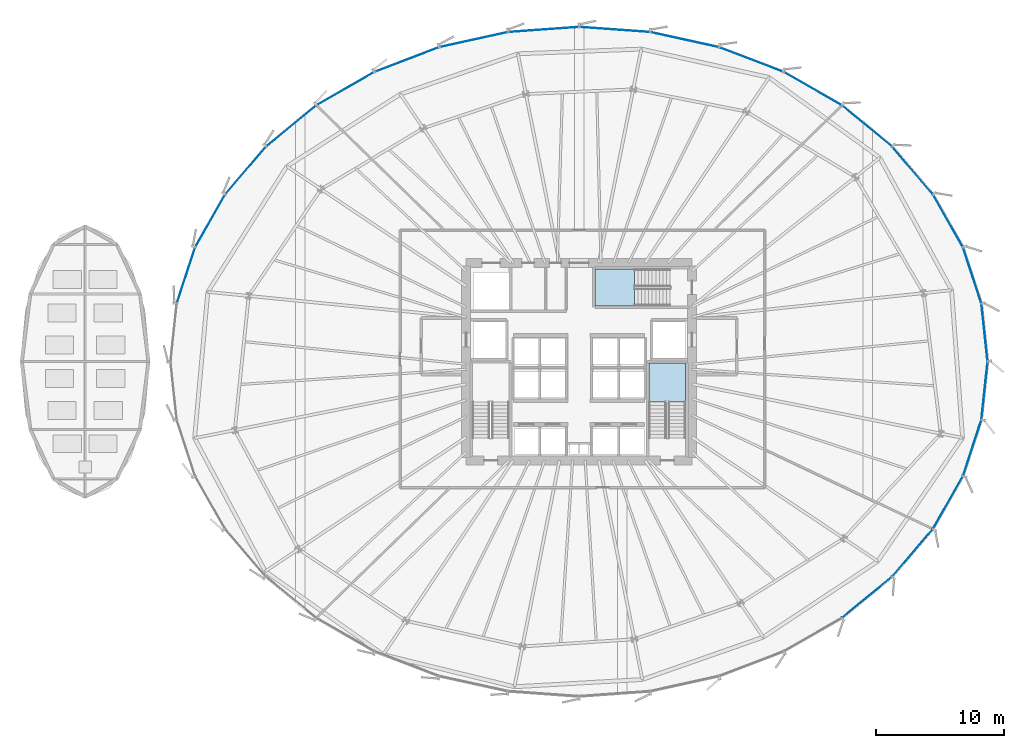
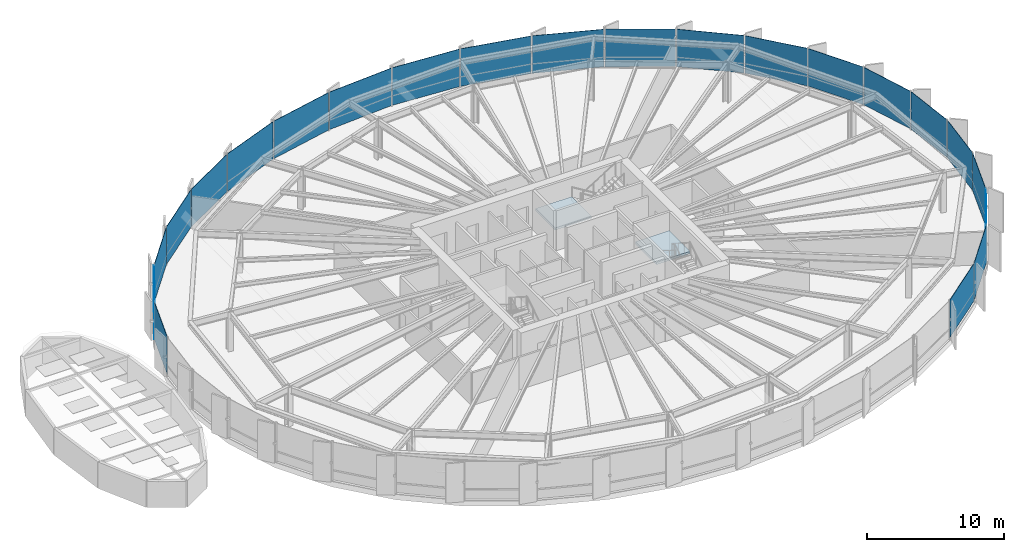
# One storey, part 27 of 38: 22 plates, 2 slabs, 6 elements without a shape of their own.
"""IFC4 building model written with IfcOpenShell, lengths in metres."""

from ifc_helpers import new_model, si_unit, direction, frame, origin, origin_2d, place, context, subcontext, project, spatial, polyline, rectangle, outline, extrude, source, transform, mapped, material, layer, layer_set, type_object, element, aggregate, save


model = new_model("IFC4")

# Units and contexts
model_context = context("Model", 3, precision=1e-05, world=origin(), true_north=direction((0.0, 1.0)))
body_context = subcontext(model_context, "Body", "Model", "MODEL_VIEW")
ifc_project = project(units=[si_unit("LENGTHUNIT", "METRE"), si_unit("AREAUNIT", "SQUARE_METRE"), si_unit("VOLUMEUNIT", "CUBIC_METRE"), si_unit("PLANEANGLEUNIT", "RADIAN"), si_unit("MASSUNIT", "GRAM", prefix="KILO"), si_unit("THERMODYNAMICTEMPERATUREUNIT", "KELVIN")], contexts=[model_context])

# Site, building, storey
site_placement = place(None, origin())
site = spatial("IfcSite", under=ifc_project, at=site_placement, CompositionType="ELEMENT")
building_placement = place(site_placement, origin())
building = spatial("IfcBuilding", under=site, at=building_placement, Name="Kethvar Cultural Tower", CompositionType="ELEMENT")
storey_placement = place(building_placement, frame((0.0, 0.0, 29.60009765625)))
storey = spatial("IfcBuildingStorey", under=building, at=storey_placement, Name="L06", CompositionType="ELEMENT", Elevation=29.60009765625)

# Stair, slab
ifc_material_1 = material(Name="Concrete C40/50", Category="concrete")
stair_type = type_object("IfcStairType", Name="ST-DOGLEG-135", PredefinedType="HALF_TURN_STAIR", material=ifc_material_1)
stair_1_placement = place(storey_placement, origin())
stair_1 = element("IfcStair", 1, at=stair_1_placement, inside=storey, type_object=stair_type, Name="L06 Core Exit Stair 2", PredefinedType="HALF_TURN_STAIR")
ifc_layer_1 = layer(ifc_material_1, 0.199951171875, Name="Concrete C40/50", Category="concrete")
ifc_layer_set_1 = layer_set([ifc_layer_1], Name="Concrete C40/50 (200 mm)")
slab_type = type_object("IfcSlabType", Name="SL-STAIR-LANDING-200", PredefinedType="LANDING", material=ifc_layer_set_1)
slab_1_placement = place(storey_placement, frame((0.0, 0.0, 1.699951171875)))
slab_1 = element("IfcSlab", 2, at=slab_1_placement, type_object=slab_type, Name="ST-02 landing 1", PredefinedType="LANDING", context=body_context, shape_type="SweptSolid", body=[
    extrude(outline(polyline([(55.110107421875, 24.64990234375), (55.110107421875, 27.699951171875), (52.25, 27.699951171875), (52.25, 24.64990234375), (55.110107421875, 24.64990234375)])), origin(), (0.0, 0.0, 1.0), 0.199951171875),
])
aggregate(stair_1, [slab_1])

stair_2_placement = place(storey_placement, origin())
stair_2 = element("IfcStair", 3, at=stair_2_placement, inside=storey, type_object=stair_type, Name="L06 Core Exit Stair 3", PredefinedType="HALF_TURN_STAIR")
slab_2_placement = place(storey_placement, frame((0.0, 0.0, 1.699951171875)))
slab_2 = element("IfcSlab", 4, at=slab_2_placement, type_object=slab_type, Name="ST-03 landing 1", PredefinedType="LANDING", context=body_context, shape_type="SweptSolid", body=[
    extrude(outline(polyline([(51.10009765625, 35.010009765625), (48.050048828125, 35.010009765625), (48.050048828125, 32.14990234375), (51.10009765625, 32.14990234375), (51.10009765625, 35.010009765625)])), origin(), (0.0, 0.0, 1.0), 0.199951171875),
])
aggregate(stair_2, [slab_2])

# Curtain wall, plate
ifc_material_2 = material(Name="Aluminium 6063-T6", Category="aluminium")
ifc_layer_2 = layer(ifc_material_2, 0.179931640625, Name="Aluminium 6063-T6", Category="aluminium")
ifc_layer_set_2 = layer_set([ifc_layer_2], Name="Aluminium 6063-T6 (180 mm)")
curtain_wall_type = type_object("IfcCurtainWallType", Name="CW-SYS-02-Z1", PredefinedType="NOTDEFINED", material=ifc_layer_set_2)
curtain_wall_1_placement = place(storey_placement, origin())
curtain_wall_1 = element("IfcCurtainWall", 5, at=curtain_wall_1_placement, inside=storey, type_object=curtain_wall_type, Name="L06 Curtain Wall Run 01", PredefinedType="NOTDEFINED")
ifc_material_3 = material(Name="Insulated Low-E Solar Glass", Category="glass")
ifc_layer_3 = layer(ifc_material_3, 0.031982421875, Name="Insulated Low-E Solar Glass", Category="glass")
ifc_layer_set_3 = layer_set([ifc_layer_3], Name="Insulated Low-E Solar Glass (32 mm)")
plate_type = type_object("IfcPlateType", Name="CW-SYS-02-Z1-PNL", PredefinedType="CURTAIN_PANEL", material=ifc_layer_set_3)
shared_shape_1 = source(origin(), body_context, "Body", "SweptSolid", [
    extrude(rectangle(XDim=4.481689453125, YDim=0.031982421875, at=origin_2d()), origin(), (0.0, 0.0, 1.0), 3.35009765625),
])
plate_1_placement = place(storey_placement, frame((78.39794921875, 30.06201171875, 0.099853515625), z_axis=(0.0, 0.0, 1.0), x_axis=(-0.106107879787, 0.994354623787, 0.0)))
plate_1 = element("IfcPlate", 6, at=plate_1_placement, type_object=plate_type, Name="CW-L06-R01 Vision Glazing Panel 1", PredefinedType="CURTAIN_PANEL", context=body_context, shape_type="MappedRepresentation", body=[
    mapped(shared_shape_1, transform((0.0, 0.0, 0.0), scale=1.0)),
])

curtain_wall_2_placement = place(storey_placement, origin())
curtain_wall_2 = element("IfcCurtainWall", 7, at=curtain_wall_2_placement, inside=storey, type_object=curtain_wall_type, Name="L06 Curtain Wall Run 06", PredefinedType="NOTDEFINED")
plate_2_placement = place(storey_placement, frame((78.39794921875, 25.5380859375, 0.099853515625), z_axis=(0.0, 0.0, 1.0), x_axis=(0.106107879787, 0.994354623787, 0.0)))
plate_2 = element("IfcPlate", 8, at=plate_2_placement, type_object=plate_type, Name="CW-L06-R06 Vision Glazing Panel 6", PredefinedType="CURTAIN_PANEL", context=body_context, shape_type="MappedRepresentation", body=[
    mapped(shared_shape_1, transform((0.0, 0.0, 0.0), scale=1.0)),
])

# Plate
shared_shape_2 = source(origin(), body_context, "Body", "SweptSolid", [
    extrude(rectangle(XDim=4.54736328125, YDim=0.031982421875, at=origin_2d()), origin(), (0.0, 0.0, 1.0), 3.35009765625),
])
plate_3_placement = place(storey_placement, frame((77.439453125, 34.517822265625, 0.099853515625), z_axis=(0.0, 0.0, 1.0), x_axis=(-0.310693019213, 0.950510309156, 0.0)))
plate_3 = element("IfcPlate", 9, at=plate_3_placement, type_object=plate_type, Name="CW-L06-R01 Vision Glazing Panel 2", PredefinedType="CURTAIN_PANEL", context=body_context, shape_type="MappedRepresentation", body=[
    mapped(shared_shape_2, transform((0.0, 0.0, 0.0), scale=1.0)),
])

# Curtain wall, plate
curtain_wall_3_placement = place(storey_placement, origin())
curtain_wall_3 = element("IfcCurtainWall", 10, at=curtain_wall_3_placement, inside=storey, type_object=curtain_wall_type, Name="L06 Curtain Wall Run 03", PredefinedType="NOTDEFINED")
plate_4_placement = place(storey_placement, frame((16.160400390625, 34.517822265625, 0.099853515625), z_axis=(0.0, 0.0, 1.0), x_axis=(-0.310693019213, -0.950510309156, 0.0)))
plate_4 = element("IfcPlate", 11, at=plate_4_placement, type_object=plate_type, Name="CW-L06-R03 Vision Glazing Panel 5", PredefinedType="CURTAIN_PANEL", context=body_context, shape_type="MappedRepresentation", body=[
    mapped(shared_shape_2, transform((0.0, 0.0, 0.0), scale=1.0)),
])

# Plate
plate_5_placement = place(storey_placement, frame((77.439453125, 21.08203125, 0.099853515625), z_axis=(0.0, 0.0, 1.0), x_axis=(0.310693019213, 0.950510309156, 0.0)))
plate_5 = element("IfcPlate", 12, at=plate_5_placement, type_object=plate_type, Name="CW-L06-R06 Vision Glazing Panel 5", PredefinedType="CURTAIN_PANEL", context=body_context, shape_type="MappedRepresentation", body=[
    mapped(shared_shape_2, transform((0.0, 0.0, 0.0), scale=1.0)),
])

shared_shape_3 = source(origin(), body_context, "Body", "SweptSolid", [
    extrude(rectangle(XDim=4.66845703125, YDim=0.031982421875, at=origin_2d()), origin(), (0.0, 0.0, 1.0), 3.35009765625),
])
plate_6_placement = place(storey_placement, frame((75.551025390625, 38.77099609375, 0.099853515625), z_axis=(0.0, 0.0, 1.0), x_axis=(-0.494427407101, 0.869218924729, 0.0)))
plate_6 = element("IfcPlate", 13, at=plate_6_placement, type_object=plate_type, Name="CW-L06-R01 Vision Glazing Panel 3", PredefinedType="CURTAIN_PANEL", context=body_context, shape_type="MappedRepresentation", body=[
    mapped(shared_shape_3, transform((0.0, 0.0, 0.0), scale=1.0)),
])

plate_7_placement = place(storey_placement, frame((18.048828125, 38.77099609375, 0.099853515625), z_axis=(0.0, 0.0, 1.0), x_axis=(-0.494427407101, -0.869218924729, 0.0)))
plate_7 = element("IfcPlate", 14, at=plate_7_placement, type_object=plate_type, Name="CW-L06-R03 Vision Glazing Panel 4", PredefinedType="CURTAIN_PANEL", context=body_context, shape_type="MappedRepresentation", body=[
    mapped(shared_shape_3, transform((0.0, 0.0, 0.0), scale=1.0)),
])

plate_8_placement = place(storey_placement, frame((75.551025390625, 16.828857421875, 0.099853515625), z_axis=(0.0, 0.0, 1.0), x_axis=(0.494427407101, 0.869218924729, 0.0)))
plate_8 = element("IfcPlate", 15, at=plate_8_placement, type_object=plate_type, Name="CW-L06-R06 Vision Glazing Panel 4", PredefinedType="CURTAIN_PANEL", context=body_context, shape_type="MappedRepresentation", body=[
    mapped(shared_shape_3, transform((0.0, 0.0, 0.0), scale=1.0)),
])

shared_shape_4 = source(origin(), body_context, "Body", "SweptSolid", [
    extrude(rectangle(XDim=4.826416015625, YDim=0.031982421875, at=origin_2d()), origin(), (0.0, 0.0, 1.0), 3.35009765625),
])
plate_9_placement = place(storey_placement, frame((72.789306640625, 42.6923828125, 0.099853515625), z_axis=(0.0, 0.0, 1.0), x_axis=(-0.649487862203, 0.760371959537, 0.0)))
plate_9 = element("IfcPlate", 16, at=plate_9_placement, type_object=plate_type, Name="CW-L06-R01 Vision Glazing Panel 4", PredefinedType="CURTAIN_PANEL", context=body_context, shape_type="MappedRepresentation", body=[
    mapped(shared_shape_4, transform((0.0, 0.0, 0.0), scale=1.0)),
])

plate_10_placement = place(storey_placement, frame((20.810791015625, 42.6923828125, 0.099853515625), z_axis=(0.0, 0.0, 1.0), x_axis=(-0.649487862203, -0.760371959537, 0.0)))
plate_10 = element("IfcPlate", 17, at=plate_10_placement, type_object=plate_type, Name="CW-L06-R03 Vision Glazing Panel 3", PredefinedType="CURTAIN_PANEL", context=body_context, shape_type="MappedRepresentation", body=[
    mapped(shared_shape_4, transform((0.0, 0.0, 0.0), scale=1.0)),
])

plate_11_placement = place(storey_placement, frame((72.789306640625, 12.907470703125, 0.099853515625), z_axis=(0.0, 0.0, 1.0), x_axis=(0.649487862203, 0.760371959537, 0.0)))
plate_11 = element("IfcPlate", 18, at=plate_11_placement, type_object=plate_type, Name="CW-L06-R06 Vision Glazing Panel 3", PredefinedType="CURTAIN_PANEL", context=body_context, shape_type="MappedRepresentation", body=[
    mapped(shared_shape_4, transform((0.0, 0.0, 0.0), scale=1.0)),
])

shared_shape_5 = source(origin(), body_context, "Body", "SweptSolid", [
    extrude(rectangle(XDim=5.000244140625, YDim=0.031982421875, at=origin_2d()), origin(), (0.0, 0.0, 1.0), 3.35009765625),
])
plate_12_placement = place(storey_placement, frame((69.237060546875, 46.162841796875, 0.099853515625), z_axis=(0.0, 0.0, 1.0), x_axis=(-0.773342514932, 0.633988449894, 0.0)))
plate_12 = element("IfcPlate", 19, at=plate_12_placement, type_object=plate_type, Name="CW-L06-R01 Vision Glazing Panel 5", PredefinedType="CURTAIN_PANEL", context=body_context, shape_type="MappedRepresentation", body=[
    mapped(shared_shape_5, transform((0.0, 0.0, 0.0), scale=1.0)),
])

plate_13_placement = place(storey_placement, frame((24.36279296875, 46.162841796875, 0.099853515625), z_axis=(0.0, 0.0, 1.0), x_axis=(-0.773342514932, -0.633988449894, 0.0)))
plate_13 = element("IfcPlate", 20, at=plate_13_placement, type_object=plate_type, Name="CW-L06-R03 Vision Glazing Panel 2", PredefinedType="CURTAIN_PANEL", context=body_context, shape_type="MappedRepresentation", body=[
    mapped(shared_shape_5, transform((0.0, 0.0, 0.0), scale=1.0)),
])

plate_14_placement = place(storey_placement, frame((69.237060546875, 9.43701171875, 0.099853515625), z_axis=(0.0, 0.0, 1.0), x_axis=(0.773342514932, 0.633988449894, 0.0)))
plate_14 = element("IfcPlate", 21, at=plate_14_placement, type_object=plate_type, Name="CW-L06-R06 Vision Glazing Panel 2", PredefinedType="CURTAIN_PANEL", context=body_context, shape_type="MappedRepresentation", body=[
    mapped(shared_shape_5, transform((0.0, 0.0, 0.0), scale=1.0)),
])

aggregate(curtain_wall_2, [plate_14, plate_11, plate_8, plate_5, plate_2])

shared_shape_6 = source(origin(), body_context, "Body", "SweptSolid", [
    extrude(rectangle(XDim=5.168212890625, YDim=0.031982421875, at=origin_2d()), origin(), (0.0, 0.0, 1.0), 3.35009765625),
])
plate_15_placement = place(storey_placement, frame((65.001953125, 49.075927734375, 0.099853515625), z_axis=(0.0, 0.0, 1.0), x_axis=(-0.867279304379, 0.497821863918, 0.0)))
plate_15 = element("IfcPlate", 22, at=plate_15_placement, type_object=plate_type, Name="CW-L06-R01 Vision Glazing Panel 6", PredefinedType="CURTAIN_PANEL", context=body_context, shape_type="MappedRepresentation", body=[
    mapped(shared_shape_6, transform((0.0, 0.0, 0.0), scale=1.0)),
])

aggregate(curtain_wall_1, [plate_1, plate_3, plate_6, plate_9, plate_12, plate_15])

plate_16_placement = place(storey_placement, frame((28.597900390625, 49.075927734375, 0.099853515625), z_axis=(0.0, 0.0, 1.0), x_axis=(-0.867279304379, -0.497821863918, 0.0)))
plate_16 = element("IfcPlate", 23, at=plate_16_placement, type_object=plate_type, Name="CW-L06-R03 Vision Glazing Panel 1", PredefinedType="CURTAIN_PANEL", context=body_context, shape_type="MappedRepresentation", body=[
    mapped(shared_shape_6, transform((0.0, 0.0, 0.0), scale=1.0)),
])

aggregate(curtain_wall_3, [plate_16, plate_13, plate_10, plate_7, plate_4])

# Curtain wall, plates
curtain_wall_4_placement = place(storey_placement, origin())
curtain_wall_4 = element("IfcCurtainWall", 24, at=curtain_wall_4_placement, inside=storey, type_object=curtain_wall_type, Name="L06 Curtain Wall Run 02", PredefinedType="NOTDEFINED")
shared_shape_7 = source(origin(), body_context, "Body", "SweptSolid", [
    extrude(rectangle(XDim=5.3115234375, YDim=0.031982421875, at=origin_2d()), origin(), (0.0, 0.0, 1.0), 3.35009765625),
])
plate_17_placement = place(storey_placement, frame((60.212646484375, 51.3427734375, 0.099853515625), z_axis=(0.0, 0.0, 1.0), x_axis=(-0.934079892355, 0.357064076459, 0.0)))
plate_17 = element("IfcPlate", 25, at=plate_17_placement, type_object=plate_type, Name="CW-L06-R02 Vision Glazing Panel 1", PredefinedType="CURTAIN_PANEL", context=body_context, shape_type="MappedRepresentation", body=[
    mapped(shared_shape_7, transform((0.0, 0.0, 0.0), scale=1.0)),
])
plate_18_placement = place(storey_placement, frame((33.38720703125, 51.3427734375, 0.099853515625), z_axis=(0.0, 0.0, 1.0), x_axis=(-0.934079892355, -0.357064076459, 0.0)))
plate_18 = element("IfcPlate", 26, at=plate_18_placement, type_object=plate_type, Name="CW-L06-R02 Vision Glazing Panel 6", PredefinedType="CURTAIN_PANEL", context=body_context, shape_type="MappedRepresentation", body=[
    mapped(shared_shape_7, transform((0.0, 0.0, 0.0), scale=1.0)),
])
shared_shape_8 = source(origin(), body_context, "Body", "SweptSolid", [
    extrude(rectangle(XDim=5.415771484375, YDim=0.031982421875, at=origin_2d()), origin(), (0.0, 0.0, 1.0), 3.35009765625),
])
plate_19_placement = place(storey_placement, frame((55.0146484375, 52.893798828125, 0.099853515625), z_axis=(0.0, 0.0, 1.0), x_axis=(-0.976709741843, 0.214564862428, 0.0)))
plate_19 = element("IfcPlate", 27, at=plate_19_placement, type_object=plate_type, Name="CW-L06-R02 Vision Glazing Panel 2", PredefinedType="CURTAIN_PANEL", context=body_context, shape_type="MappedRepresentation", body=[
    mapped(shared_shape_8, transform((0.0, 0.0, 0.0), scale=1.0)),
])
plate_20_placement = place(storey_placement, frame((38.58544921875, 52.893798828125, 0.099853515625), z_axis=(0.0, 0.0, 1.0), x_axis=(-0.976709741843, -0.214564862428, 0.0)))
plate_20 = element("IfcPlate", 28, at=plate_20_placement, type_object=plate_type, Name="CW-L06-R02 Vision Glazing Panel 5", PredefinedType="CURTAIN_PANEL", context=body_context, shape_type="MappedRepresentation", body=[
    mapped(shared_shape_8, transform((0.0, 0.0, 0.0), scale=1.0)),
])
shared_shape_9 = source(origin(), body_context, "Body", "SweptSolid", [
    extrude(rectangle(XDim=5.470458984375, YDim=0.031982421875, at=origin_2d()), origin(), (0.0, 0.0, 1.0), 3.35009765625),
])
plate_21_placement = place(storey_placement, frame((49.56640625, 53.681396484375, 0.099853515625), z_axis=(0.0, 0.0, 1.0), x_axis=(-0.997438286592, 0.071532261541, 0.0)))
plate_21 = element("IfcPlate", 29, at=plate_21_placement, type_object=plate_type, Name="CW-L06-R02 Vision Glazing Panel 3", PredefinedType="CURTAIN_PANEL", context=body_context, shape_type="MappedRepresentation", body=[
    mapped(shared_shape_9, transform((0.0, 0.0, 0.0), scale=1.0)),
])
plate_22_placement = place(storey_placement, frame((44.03369140625, 53.681396484375, 0.099853515625), z_axis=(0.0, 0.0, 1.0), x_axis=(-0.997438286592, -0.071532261541, 0.0)))
plate_22 = element("IfcPlate", 30, at=plate_22_placement, type_object=plate_type, Name="CW-L06-R02 Vision Glazing Panel 4", PredefinedType="CURTAIN_PANEL", context=body_context, shape_type="MappedRepresentation", body=[
    mapped(shared_shape_9, transform((0.0, 0.0, 0.0), scale=1.0)),
])
aggregate(curtain_wall_4, [plate_17, plate_19, plate_21, plate_22, plate_20, plate_18])

save(model, "model.ifc")
